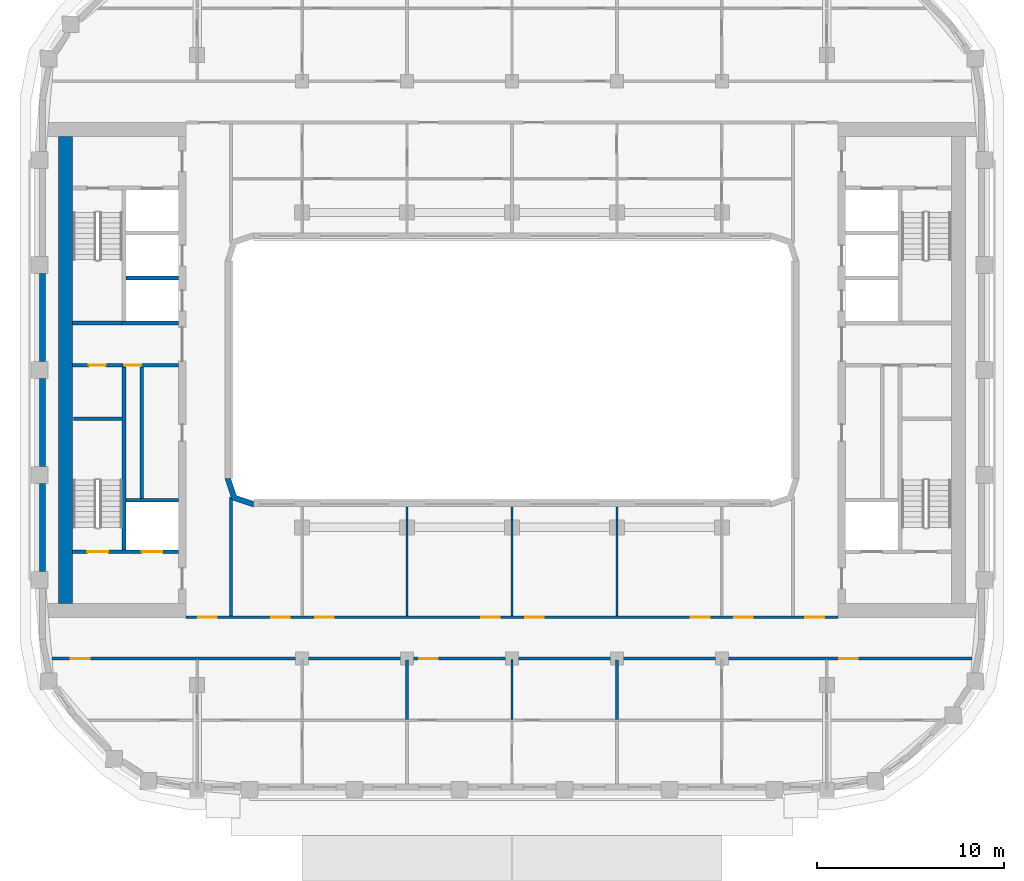
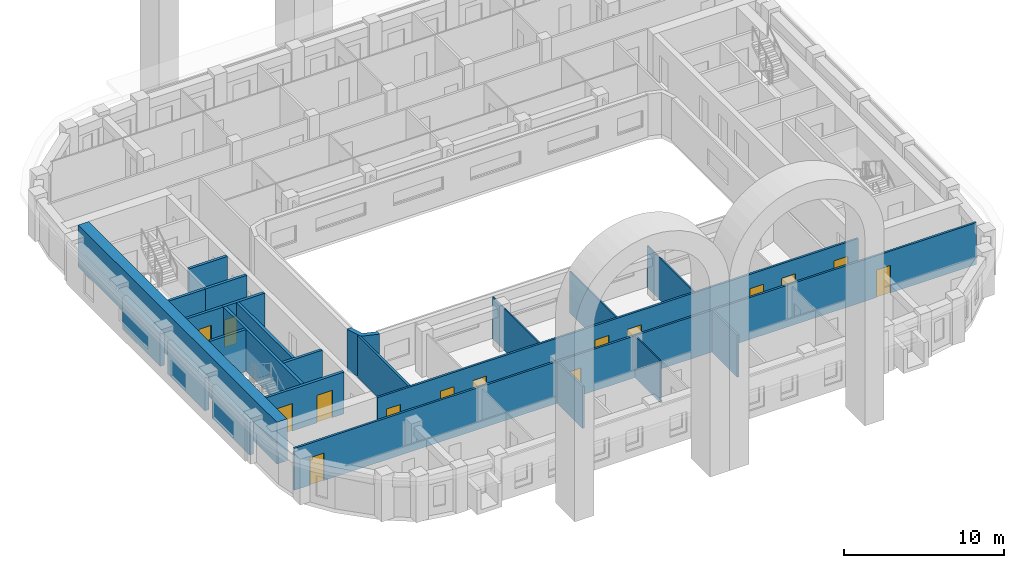
# One storey, part 3 of 18: 24 walls, 15 doors, 15 openings.
"""IFC4 building model written with IfcOpenShell, lengths in metres."""

from ifc_helpers import new_model, si_unit, direction, frame, frame_2d, origin, place, context, subcontext, project, spatial, polyline, rectangle, outline, extrude, material, layer, layer_set, type_object, element, fill, save


model = new_model("IFC4")

# Units and contexts
model_context = context("Model", 3, precision=1e-05, world=origin(), true_north=direction((0.0, 1.0)))
body_context = subcontext(model_context, "Body", "Model", "MODEL_VIEW")
ifc_project = project(units=[si_unit("LENGTHUNIT", "METRE"), si_unit("AREAUNIT", "SQUARE_METRE"), si_unit("VOLUMEUNIT", "CUBIC_METRE"), si_unit("PLANEANGLEUNIT", "RADIAN"), si_unit("MASSUNIT", "GRAM", prefix="KILO")], contexts=[model_context])

# Site, building, storey
site_placement = place(None, origin())
site = spatial("IfcSite", under=ifc_project, at=site_placement, CompositionType="ELEMENT")
building_placement = place(site_placement, origin())
building = spatial("IfcBuilding", under=site, at=building_placement, Name="Kiln Ring Residences", CompositionType="ELEMENT")
storey_placement = place(building_placement, frame((0.0, 0.0, 209.89990234375)))
storey = spatial("IfcBuildingStorey", under=building, at=storey_placement, Name="L54", CompositionType="ELEMENT", Elevation=209.89990234375)

# Wall, opening, door
ifc_material_1 = material(Name="Gypsum board on steel studs", Category="steel")
ifc_layer_1 = layer(ifc_material_1, 0.199951171875)
ifc_layer_set_1 = layer_set([ifc_layer_1], Name="CORE-PARTITION-200")
wall_type_1 = type_object("IfcWallType", Name="CORE-PARTITION-200", PredefinedType="PARTITIONING", material=ifc_layer_set_1)
wall_1_placement = place(storey_placement, frame((-20.800048828125, 0.25, 0.0), z_axis=(0.0, 0.0, 1.0), x_axis=(-1.0, 0.0, 0.0)))
wall_1 = element("IfcWall", 1, at=wall_1_placement, inside=storey, type_object=wall_type_1, Name="Core partition west L54 1", PredefinedType="PARTITIONING", context=body_context, shape_type="SweptSolid", body=[
    extrude(rectangle(XDim=2.64990234375, YDim=0.199951171875, at=frame_2d((1.324951171875, 0.0))), origin(), (0.0, 0.0, 1.0), 3.2001953125),
])
opening_1_placement = place(wall_1_placement, frame((0.875, 0.0, 0.0)))
opening_1 = element("IfcOpeningElement", 2, at=opening_1_placement, cuts=wall_1, Name="Opening L54-CW12", PredefinedType="OPENING", context=body_context, shape_type="SweptSolid", body=[
    extrude(rectangle(XDim=0.89990234375, YDim=2.10009765625, at=frame_2d((0.449951171875, 1.050048828125))), frame((0.0, 0.10986328125, 0.0), z_axis=(0.0, -1.0, 0.0), x_axis=(1.0, 0.0, 0.0)), (0.0, 0.0, 1.0), 0.219970703125),
])
ifc_material_2 = material(Name="Steel door leaf", Category="steel")
door_type_1 = type_object("IfcDoorType", Name="CORE-DOOR-ROOM", OperationType="SINGLE_SWING_LEFT", PredefinedType="DOOR", material=ifc_material_2)
door_1_placement = place(opening_1_placement, origin())
door_1 = element("IfcDoor", 3, at=door_1_placement, inside=storey, type_object=door_type_1, Name="Linen store L54-CW12", OperationType="SINGLE_SWING_RIGHT", OverallHeight=2.10009765625, OverallWidth=0.89990234375, PredefinedType="DOOR", context=body_context, shape_type="SweptSolid", body=[
    extrude(rectangle(XDim=0.89990234375, YDim=2.10009765625, at=frame_2d((0.449951171875, 1.050048828125))), frame((0.0, 0.02490234375, 0.0), z_axis=(0.0, -1.0, 0.0), x_axis=(1.0, 0.0, 0.0)), (0.0, 0.0, 1.0), 0.050048828125),
])
fill(opening_1, door_1)

# Walls
wall_2_placement = place(storey_placement, frame((-19.760009765625, -6.85009765625, 0.0), z_axis=(0.0, 0.0, 1.0), x_axis=(0.0, 1.0, 0.0)))
element("IfcWall", 4, at=wall_2_placement, inside=storey, type_object=wall_type_1, Name="Core partition west L54 2", PredefinedType="PARTITIONING", context=body_context, shape_type="SweptSolid", body=[
    extrude(rectangle(XDim=7.0, YDim=0.199951171875, at=frame_2d((3.5, 0.0))), origin(), (0.0, 0.0, 1.0), 3.2001953125),
])
ifc_material_3 = material(Name="Gypsum shaft wall system")
ifc_layer_2 = layer(ifc_material_3, 0.199951171875)
ifc_layer_set_2 = layer_set([ifc_layer_2], Name="CORE-SHAFT-WALL-200")
wall_type_2 = type_object("IfcWallType", Name="CORE-SHAFT-WALL-200", PredefinedType="PARTITIONING", material=ifc_layer_set_2)
wall_3_placement = place(storey_placement, frame((-17.800048828125, -6.949951171875, 0.0), z_axis=(0.0, 0.0, 1.0), x_axis=(-1.0, 0.0, 0.0)))
element("IfcWall", 5, at=wall_3_placement, inside=storey, type_object=wall_type_2, Name="Core partition west L54 3", PredefinedType="PARTITIONING", context=body_context, shape_type="SweptSolid", body=[
    extrude(rectangle(XDim=2.800048828125, YDim=0.199951171875, at=frame_2d((1.39990234375, 0.0))), origin(), (0.0, 0.0, 1.0), 3.2001953125),
])

# Wall, opening, door
wall_4_placement = place(storey_placement, frame((-17.800048828125, 0.25, 0.0), z_axis=(0.0, 0.0, 1.0), x_axis=(-1.0, 0.0, 0.0)))
wall_4 = element("IfcWall", 6, at=wall_4_placement, inside=storey, type_object=wall_type_2, Name="Core partition west L54 4", PredefinedType="PARTITIONING", context=body_context, shape_type="SweptSolid", body=[
    extrude(rectangle(XDim=3.0, YDim=0.199951171875, at=frame_2d((1.5, 0.0))), origin(), (0.0, 0.0, 1.0), 3.2001953125),
])
opening_2_placement = place(wall_4_placement, frame((1.97998046875, 0.0, 0.0)))
opening_2 = element("IfcOpeningElement", 7, at=opening_2_placement, cuts=wall_4, Name="Opening L54-CW03", PredefinedType="OPENING", context=body_context, shape_type="SweptSolid", body=[
    extrude(rectangle(XDim=0.89990234375, YDim=2.10009765625, at=frame_2d((0.449951171875, 1.050048828125))), frame((0.0, 0.10986328125, 0.0), z_axis=(0.0, -1.0, 0.0), x_axis=(1.0, 0.0, 0.0)), (0.0, 0.0, 1.0), 0.219970703125),
])
door_2_placement = place(opening_2_placement, origin())
door_2 = element("IfcDoor", 8, at=door_2_placement, inside=storey, type_object=door_type_1, Name="Waste room L54-CW03", OperationType="SINGLE_SWING_LEFT", OverallHeight=2.10009765625, OverallWidth=0.89990234375, PredefinedType="DOOR", context=body_context, shape_type="SweptSolid", body=[
    extrude(rectangle(XDim=0.89990234375, YDim=2.10009765625, at=frame_2d((0.449951171875, 1.050048828125))), frame((0.0, 0.02490234375, 0.0), z_axis=(0.0, -1.0, 0.0), x_axis=(1.0, 0.0, 0.0)), (0.0, 0.0, 1.0), 0.050048828125),
])
fill(opening_2, door_2)

# Walls
wall_5_placement = place(storey_placement, frame((-17.800048828125, 2.5, 0.0), z_axis=(0.0, 0.0, 1.0), x_axis=(-1.0, 0.0, 0.0)))
element("IfcWall", 9, at=wall_5_placement, inside=storey, type_object=wall_type_2, Name="Core partition west L54 5", PredefinedType="PARTITIONING", context=body_context, shape_type="SweptSolid", body=[
    extrude(rectangle(XDim=3.0, YDim=0.199951171875, at=frame_2d((1.5, 0.0))), origin(), (0.0, 0.0, 1.0), 3.2001953125),
])
wall_6_placement = place(storey_placement, frame((-17.800048828125, 4.89990234375, 0.0), z_axis=(0.0, 0.0, 1.0), x_axis=(-1.0, 0.0, 0.0)))
element("IfcWall", 10, at=wall_6_placement, inside=storey, type_object=wall_type_2, Name="Core partition west L54 6", PredefinedType="PARTITIONING", context=body_context, shape_type="SweptSolid", body=[
    extrude(rectangle(XDim=2.800048828125, YDim=0.199951171875, at=frame_2d((1.39990234375, 0.0))), origin(), (0.0, 0.0, 1.0), 3.2001953125),
])
ifc_material_4 = material(Name="Concrete C40/50", Category="concrete")
ifc_layer_3 = layer(ifc_material_4, 0.199951171875)
ifc_layer_set_3 = layer_set([ifc_layer_3], Name="CORE-WALL-RC200")
wall_type_3 = type_object("IfcWallType", Name="CORE-WALL-RC200", PredefinedType="SHEAR", material=ifc_layer_set_3)
wall_7_placement = place(storey_placement, frame((-20.699951171875, -9.60009765625, 0.0), z_axis=(0.0, 0.0, 1.0), x_axis=(0.0, 1.0, 0.0)))
element("IfcWall", 11, at=wall_7_placement, inside=storey, type_object=wall_type_3, Name="Core wall west L54 2", PredefinedType="SHEAR", context=body_context, shape_type="SweptSolid", body=[
    extrude(rectangle(XDim=9.75, YDim=0.199951171875, at=frame_2d((4.875, 0.0))), origin(), (0.0, 0.0, 1.0), 3.2001953125),
])
wall_8_placement = place(storey_placement, frame((-20.800048828125, 2.5, 0.0), z_axis=(0.0, 0.0, 1.0), x_axis=(-1.0, 0.0, 0.0)))
element("IfcWall", 12, at=wall_8_placement, inside=storey, type_object=wall_type_3, Name="Core wall west L54 3", PredefinedType="SHEAR", context=body_context, shape_type="SweptSolid", body=[
    extrude(rectangle(XDim=2.64990234375, YDim=0.199951171875, at=frame_2d((1.324951171875, 0.0))), origin(), (0.0, 0.0, 1.0), 3.2001953125),
])

# Wall, openings, doors
wall_9_placement = place(storey_placement, frame((-17.800048828125, -9.699951171875, 0.0), z_axis=(0.0, 0.0, 1.0), x_axis=(-1.0, 0.0, 0.0)))
wall_9 = element("IfcWall", 13, at=wall_9_placement, inside=storey, type_object=wall_type_3, Name="Core wall west L54 8", PredefinedType="SHEAR", context=body_context, shape_type="SweptSolid", body=[
    extrude(rectangle(XDim=5.64990234375, YDim=0.199951171875, at=frame_2d((2.824951171875, 0.0))), origin(), (0.0, 0.0, 1.0), 3.2001953125),
])
opening_3_placement = place(wall_9_placement, frame((0.85009765625, 0.0, 0.0)))
opening_3 = element("IfcOpeningElement", 14, at=opening_3_placement, cuts=wall_9, Name="Opening L54-CW01", PredefinedType="OPENING", context=body_context, shape_type="SweptSolid", body=[
    extrude(rectangle(XDim=1.10009765625, YDim=2.10009765625, at=frame_2d((0.550048828125, 1.050048828125))), frame((0.0, 0.10986328125, 0.0), z_axis=(0.0, -1.0, 0.0), x_axis=(1.0, 0.0, 0.0)), (0.0, 0.0, 1.0), 0.219970703125),
])
opening_4_placement = place(wall_9_placement, frame((3.75, 0.0, 0.0)))
opening_4 = element("IfcOpeningElement", 15, at=opening_4_placement, cuts=wall_9, Name="Opening L54-CW10", PredefinedType="OPENING", context=body_context, shape_type="SweptSolid", body=[
    extrude(rectangle(XDim=1.10009765625, YDim=2.10009765625, at=frame_2d((0.550048828125, 1.050048828125))), frame((0.0, 0.10986328125, 0.0), z_axis=(0.0, -1.0, 0.0), x_axis=(1.0, 0.0, 0.0)), (0.0, 0.0, 1.0), 0.219970703125),
])
ifc_material_5 = material(Name="Steel door leaf", Category="steel")
door_type_2 = type_object("IfcDoorType", Name="CORE-DOOR-LD", OperationType="DOUBLE_DOOR_SLIDING", PredefinedType="DOOR", material=ifc_material_5)
door_3_placement = place(opening_3_placement, origin())
door_3 = element("IfcDoor", 16, at=door_3_placement, inside=storey, type_object=door_type_2, Name="LD W-SV L54-CW01", OperationType="DOUBLE_DOOR_SLIDING", OverallHeight=2.10009765625, OverallWidth=1.10009765625, PredefinedType="DOOR", context=body_context, shape_type="SweptSolid", body=[
    extrude(rectangle(XDim=1.10009765625, YDim=2.10009765625, at=frame_2d((0.550048828125, 1.050048828125))), frame((0.0, 0.02490234375, 0.0), z_axis=(0.0, -1.0, 0.0), x_axis=(1.0, 0.0, 0.0)), (0.0, 0.0, 1.0), 0.050048828125),
])
fill(opening_3, door_3)
ifc_material_6 = material(Name="Steel door leaf", Category="steel")
door_type_3 = type_object("IfcDoorType", Name="CORE-DOOR-STAIR", OperationType="SINGLE_SWING_LEFT", PredefinedType="DOOR", material=ifc_material_6)
door_4_placement = place(opening_4_placement, origin())
door_4 = element("IfcDoor", 17, at=door_4_placement, inside=storey, type_object=door_type_3, Name="Stair W-STS L54-CW10", OperationType="SINGLE_SWING_LEFT", OverallHeight=2.10009765625, OverallWidth=1.10009765625, PredefinedType="DOOR", context=body_context, shape_type="SweptSolid", body=[
    extrude(rectangle(XDim=1.10009765625, YDim=2.10009765625, at=frame_2d((0.550048828125, 1.050048828125))), frame((0.0, 0.02490234375, 0.0), z_axis=(0.0, -1.0, 0.0), x_axis=(1.0, 0.0, 0.0)), (0.0, 0.0, 1.0), 0.050048828125),
])
fill(opening_4, door_4)

# Walls
wall_10_placement = place(storey_placement, frame((-20.800048828125, -2.60009765625, 0.0), z_axis=(0.0, 0.0, 1.0), x_axis=(-1.0, 0.0, 0.0)))
element("IfcWall", 18, at=wall_10_placement, inside=storey, type_object=wall_type_3, Name="Core wall west L54 10", PredefinedType="SHEAR", context=body_context, shape_type="SweptSolid", body=[
    extrude(rectangle(XDim=2.599853515625, YDim=0.199951171875, at=frame_2d((1.2998046875, 0.0))), origin(), (0.0, 0.0, 1.0), 3.2001953125),
])
ifc_material_7 = material(Name="Concrete C60/75", Category="concrete")
ifc_layer_4 = layer(ifc_material_7, 0.75)
ifc_layer_set_4 = layer_set([ifc_layer_4], Name="CORE-WALL-RC750")
wall_type_4 = type_object("IfcWallType", Name="CORE-WALL-RC750", PredefinedType="SHEAR", material=ifc_layer_set_4)
wall_11_placement = place(storey_placement, frame((-23.824951171875, -12.449951171875, 0.0), z_axis=(0.0, 0.0, 1.0), x_axis=(0.0, 1.0, 0.0)))
element("IfcWall", 19, at=wall_11_placement, inside=storey, type_object=wall_type_4, Name="Core wall west L54 7", PredefinedType="SHEAR", context=body_context, shape_type="SweptSolid", body=[
    extrude(rectangle(XDim=24.89990234375, YDim=0.75, at=frame_2d((12.449951171875, 0.0))), origin(), (0.0, 0.0, 1.0), 3.2001953125),
])
ifc_material_8 = material(Name="Brick masonry, dark clay brick", Category="masonry")
ifc_layer_5 = layer(ifc_material_8, 0.300048828125)
ifc_layer_set_5 = layer_set([ifc_layer_5], Name="EW-300 BRICK WALL")
wall_type_5 = type_object("IfcWallType", Name="EW-300 BRICK WALL", PredefinedType="SOLIDWALL", material=ifc_layer_set_5)
for number, where, z_axis, x_axis, name in (
    (20, (-25.050048828125, 5.14990234375, 0.0), (0.0, 0.0, 1.0), (0.0, -1.0, 0.0), "Facade wall L54 41"),
    (21, (-25.050048828125, -0.449951171875, 0.0), (0.0, 0.0, 1.0), (0.0, -1.0, 0.0), "Facade wall L54 42"),
    (22, (-25.050048828125, -6.050048828125, 0.0), (0.0, 0.0, 1.0), (0.0, -1.0, 0.0), "Facade wall L54 43"),
):
    element("IfcWall", number, at=place(storey_placement, frame(where, z_axis=z_axis, x_axis=x_axis)), inside=storey, type_object=wall_type_5, Name=name, PredefinedType="SOLIDWALL", context=body_context, shape_type="SweptSolid", body=[
        extrude(rectangle(XDim=4.699951171875, YDim=0.300048828125, at=frame_2d((2.35009765625, 0.0))), origin(), (0.0, 0.0, 1.0), 2.5),
    ])
wall_12_placement = place(storey_placement, origin())
element("IfcWall", 23, at=wall_12_placement, inside=storey, type_object=wall_type_5, Name="Corner wall L54 4", PredefinedType="SOLIDWALL", context=body_context, shape_type="SweptSolid", body=[
    extrude(outline(polyline([(-14.937255859375, -6.937255859375), (-13.8486328125, -7.300048828125), (-13.800048828125, -7.300048828125), (-13.800048828125, -7.0), (-14.699951171875, -6.699951171875), (-15.0, -5.800048828125), (-15.300048828125, -5.800048828125), (-15.300048828125, -5.8486328125), (-14.937255859375, -6.937255859375)])), origin(), (0.0, 0.0, 1.0), 3.2001953125),
])
ifc_material_9 = material(Name="Gypsum board on steel studs", Category="steel")
ifc_layer_6 = layer(ifc_material_9, 0.10009765625)
ifc_layer_set_6 = layer_set([ifc_layer_6], Name="PARTITION-100")
wall_type_6 = type_object("IfcWallType", Name="PARTITION-100", PredefinedType="PARTITIONING", material=ifc_layer_set_6)
wall_13_placement = place(storey_placement, frame((-5.60009765625, -13.125, 0.0), z_axis=(0.0, 0.0, 1.0), x_axis=(0.0, 1.0, 0.0)))
element("IfcWall", 24, at=wall_13_placement, inside=storey, type_object=wall_type_6, Name="Partition 020", PredefinedType="PARTITIONING", context=body_context, shape_type="SweptSolid", body=[
    extrude(rectangle(XDim=5.804931640625, YDim=0.10009765625, at=frame_2d((2.90234375, 0.0))), origin(), (0.0, 0.0, 1.0), 3.2001953125),
])
wall_14_placement = place(storey_placement, frame((0.0, -18.64990234375, 0.0), z_axis=(0.0, 0.0, 1.0), x_axis=(0.0, 1.0, 0.0)))
element("IfcWall", 25, at=wall_14_placement, inside=storey, type_object=wall_type_6, Name="Partition 028", PredefinedType="PARTITIONING", context=body_context, shape_type="SweptSolid", body=[
    extrude(rectangle(XDim=3.1748046875, YDim=0.10009765625, at=frame_2d((1.58740234375, 0.0))), origin(), (0.0, 0.0, 1.0), 3.2001953125),
])
for number, where, z_axis, x_axis, name in (
    (26, (0.0, -13.125, 0.0), (0.0, 0.0, 1.0), (0.0, 1.0, 0.0), "Partition 029"),
    (27, (5.60009765625, -13.125, 0.0), (0.0, 0.0, 1.0), (0.0, 1.0, 0.0), "Partition 034"),
):
    element("IfcWall", number, at=place(storey_placement, frame(where, z_axis=z_axis, x_axis=x_axis)), inside=storey, type_object=wall_type_6, Name=name, PredefinedType="PARTITIONING", context=body_context, shape_type="SweptSolid", body=[
        extrude(rectangle(XDim=5.804931640625, YDim=0.10009765625, at=frame_2d((2.90234375, 0.0))), origin(), (0.0, 0.0, 1.0), 3.2001953125),
    ])

# Wall, openings, doors
ifc_material_10 = material(Name="Brick masonry partition", Category="masonry")
ifc_layer_7 = layer(ifc_material_10, 0.14990234375)
ifc_layer_set_7 = layer_set([ifc_layer_7], Name="PARTITION-150-ei60")
wall_type_7 = type_object("IfcWallType", Name="PARTITION-150-ei60", PredefinedType="PARTITIONING", material=ifc_layer_set_7)
wall_15_placement = place(storey_placement, frame((-24.683837890625, -15.39990234375, 0.0), z_axis=(0.0, 0.0, 1.0), x_axis=(1.0, 0.0, 0.0)))
wall_15 = element("IfcWall", 28, at=wall_15_placement, inside=storey, type_object=wall_type_7, Name="Partition 001", PredefinedType="PARTITIONING", context=body_context, shape_type="SweptSolid", body=[
    extrude(rectangle(XDim=49.36767578125, YDim=0.14990234375, at=frame_2d((24.683837890625, 0.0))), origin(), (0.0, 0.0, 1.0), 3.2001953125),
])
opening_5_placement = place(wall_15_placement, frame((1.142822265625, 0.0, 0.0)))
opening_5 = element("IfcOpeningElement", 29, at=opening_5_placement, cuts=wall_15, Name="Opening L54-D039", PredefinedType="OPENING", context=body_context, shape_type="SweptSolid", body=[
    extrude(rectangle(XDim=1.0, YDim=2.10009765625, at=frame_2d((0.5, 1.050048828125))), frame((0.0, 0.0849609375, 0.0), z_axis=(0.0, -1.0, 0.0), x_axis=(1.0, 0.0, 0.0)), (0.0, 0.0, 1.0), 0.169921875),
])
opening_6_placement = place(wall_15_placement, frame((19.73388671875, 0.0, 0.0)))
opening_6 = element("IfcOpeningElement", 30, at=opening_6_placement, cuts=wall_15, Name="Opening L54-D045", PredefinedType="OPENING", context=body_context, shape_type="SweptSolid", body=[
    extrude(rectangle(XDim=1.0, YDim=2.10009765625, at=frame_2d((0.5, 1.050048828125))), frame((0.0, 0.0849609375, 0.0), z_axis=(0.0, -1.0, 0.0), x_axis=(1.0, 0.0, 0.0)), (0.0, 0.0, 1.0), 0.169921875),
])
opening_7_placement = place(wall_15_placement, frame((42.1337890625, 0.0, 0.0)))
opening_7 = element("IfcOpeningElement", 31, at=opening_7_placement, cuts=wall_15, Name="Opening L54-D049", PredefinedType="OPENING", context=body_context, shape_type="SweptSolid", body=[
    extrude(rectangle(XDim=1.0, YDim=2.10009765625, at=frame_2d((0.5, 1.050048828125))), frame((0.0, 0.0849609375, 0.0), z_axis=(0.0, -1.0, 0.0), x_axis=(1.0, 0.0, 0.0)), (0.0, 0.0, 1.0), 0.169921875),
])
ifc_material_11 = material(Name="Steel faced fire door leaf", Category="steel")
door_type_4 = type_object("IfcDoorType", Name="FLAT-DOOR-1000-FR", OperationType="SINGLE_SWING_LEFT", PredefinedType="DOOR", material=ifc_material_11)
door_5_placement = place(opening_5_placement, origin())
door_5 = element("IfcDoor", 32, at=door_5_placement, inside=storey, type_object=door_type_4, Name="Door L54-D039", OperationType="SINGLE_SWING_LEFT", OverallHeight=2.10009765625, OverallWidth=1.0, PredefinedType="DOOR", context=body_context, shape_type="SweptSolid", body=[
    extrude(rectangle(XDim=1.0, YDim=2.10009765625, at=frame_2d((0.5, 1.050048828125))), frame((0.0, 0.02490234375, 0.0), z_axis=(0.0, -1.0, 0.0), x_axis=(1.0, 0.0, 0.0)), (0.0, 0.0, 1.0), 0.050048828125),
])
fill(opening_5, door_5)
door_6_placement = place(opening_6_placement, origin())
door_6 = element("IfcDoor", 33, at=door_6_placement, inside=storey, type_object=door_type_4, Name="Door L54-D045", OperationType="SINGLE_SWING_LEFT", OverallHeight=2.10009765625, OverallWidth=1.0, PredefinedType="DOOR", context=body_context, shape_type="SweptSolid", body=[
    extrude(rectangle(XDim=1.0, YDim=2.10009765625, at=frame_2d((0.5, 1.050048828125))), frame((0.0, 0.02490234375, 0.0), z_axis=(0.0, -1.0, 0.0), x_axis=(1.0, 0.0, 0.0)), (0.0, 0.0, 1.0), 0.050048828125),
])
fill(opening_6, door_6)
door_7_placement = place(opening_7_placement, origin())
door_7 = element("IfcDoor", 34, at=door_7_placement, inside=storey, type_object=door_type_4, Name="Door L54-D049", OperationType="SINGLE_SWING_LEFT", OverallHeight=2.10009765625, OverallWidth=1.0, PredefinedType="DOOR", context=body_context, shape_type="SweptSolid", body=[
    extrude(rectangle(XDim=1.0, YDim=2.10009765625, at=frame_2d((0.5, 1.050048828125))), frame((0.0, 0.02490234375, 0.0), z_axis=(0.0, -1.0, 0.0), x_axis=(1.0, 0.0, 0.0)), (0.0, 0.0, 1.0), 0.050048828125),
])
fill(opening_7, door_7)

wall_16_placement = place(storey_placement, frame((-17.39990234375, -13.199951171875, 0.0), z_axis=(0.0, 0.0, 1.0), x_axis=(1.0, 0.0, 0.0)))
wall_16 = element("IfcWall", 35, at=wall_16_placement, inside=storey, type_object=wall_type_7, Name="Partition 002", PredefinedType="PARTITIONING", context=body_context, shape_type="SweptSolid", body=[
    extrude(rectangle(XDim=34.7998046875, YDim=0.14990234375, at=frame_2d((17.39990234375, 0.0))), origin(), (0.0, 0.0, 1.0), 3.2001953125),
])
opening_8_placement = place(wall_16_placement, frame((0.64990234375, 0.0, 0.0)))
opening_8 = element("IfcOpeningElement", 36, at=opening_8_placement, cuts=wall_16, Name="Opening L54-D003", PredefinedType="OPENING", context=body_context, shape_type="SweptSolid", body=[
    extrude(rectangle(XDim=1.0, YDim=2.10009765625, at=frame_2d((0.5, 1.050048828125))), frame((0.0, 0.0849609375, 0.0), z_axis=(0.0, -1.0, 0.0), x_axis=(1.0, 0.0, 0.0)), (0.0, 0.0, 1.0), 0.169921875),
])
opening_9_placement = place(wall_16_placement, frame((33.050048828125, 0.0, 0.0)))
opening_9 = element("IfcOpeningElement", 37, at=opening_9_placement, cuts=wall_16, Name="Opening L54-D004", PredefinedType="OPENING", context=body_context, shape_type="SweptSolid", body=[
    extrude(rectangle(XDim=1.0, YDim=2.10009765625, at=frame_2d((0.5, 1.050048828125))), frame((0.0, 0.0849609375, 0.0), z_axis=(0.0, -1.0, 0.0), x_axis=(1.0, 0.0, 0.0)), (0.0, 0.0, 1.0), 0.169921875),
])
opening_10_placement = place(wall_16_placement, frame((4.550048828125, 0.0, 0.0)))
opening_10 = element("IfcOpeningElement", 38, at=opening_10_placement, cuts=wall_16, Name="Opening L54-D033", PredefinedType="OPENING", context=body_context, shape_type="SweptSolid", body=[
    extrude(rectangle(XDim=1.0, YDim=2.10009765625, at=frame_2d((0.5, 1.050048828125))), frame((0.0, 0.0849609375, 0.0), z_axis=(0.0, -1.0, 0.0), x_axis=(1.0, 0.0, 0.0)), (0.0, 0.0, 1.0), 0.169921875),
])
opening_11_placement = place(wall_16_placement, frame((6.89990234375, 0.0, 0.0)))
opening_11 = element("IfcOpeningElement", 39, at=opening_11_placement, cuts=wall_16, Name="Opening L54-D034", PredefinedType="OPENING", context=body_context, shape_type="SweptSolid", body=[
    extrude(rectangle(XDim=1.0, YDim=2.10009765625, at=frame_2d((0.5, 1.050048828125))), frame((0.0, 0.0849609375, 0.0), z_axis=(0.0, -1.0, 0.0), x_axis=(1.0, 0.0, 0.0)), (0.0, 0.0, 1.0), 0.169921875),
])
opening_12_placement = place(wall_16_placement, frame((15.75, 0.0, 0.0)))
opening_12 = element("IfcOpeningElement", 40, at=opening_12_placement, cuts=wall_16, Name="Opening L54-D035", PredefinedType="OPENING", context=body_context, shape_type="SweptSolid", body=[
    extrude(rectangle(XDim=1.0, YDim=2.10009765625, at=frame_2d((0.5, 1.050048828125))), frame((0.0, 0.0849609375, 0.0), z_axis=(0.0, -1.0, 0.0), x_axis=(1.0, 0.0, 0.0)), (0.0, 0.0, 1.0), 0.169921875),
])
opening_13_placement = place(wall_16_placement, frame((18.10009765625, 0.0, 0.0)))
opening_13 = element("IfcOpeningElement", 41, at=opening_13_placement, cuts=wall_16, Name="Opening L54-D036", PredefinedType="OPENING", context=body_context, shape_type="SweptSolid", body=[
    extrude(rectangle(XDim=1.0, YDim=2.10009765625, at=frame_2d((0.5, 1.050048828125))), frame((0.0, 0.0849609375, 0.0), z_axis=(0.0, -1.0, 0.0), x_axis=(1.0, 0.0, 0.0)), (0.0, 0.0, 1.0), 0.169921875),
])
opening_14_placement = place(wall_16_placement, frame((26.949951171875, 0.0, 0.0)))
opening_14 = element("IfcOpeningElement", 42, at=opening_14_placement, cuts=wall_16, Name="Opening L54-D037", PredefinedType="OPENING", context=body_context, shape_type="SweptSolid", body=[
    extrude(rectangle(XDim=1.0, YDim=2.10009765625, at=frame_2d((0.5, 1.050048828125))), frame((0.0, 0.0849609375, 0.0), z_axis=(0.0, -1.0, 0.0), x_axis=(1.0, 0.0, 0.0)), (0.0, 0.0, 1.0), 0.169921875),
])
opening_15_placement = place(wall_16_placement, frame((29.25, 0.0, 0.0)))
opening_15 = element("IfcOpeningElement", 43, at=opening_15_placement, cuts=wall_16, Name="Opening L54-D038", PredefinedType="OPENING", context=body_context, shape_type="SweptSolid", body=[
    extrude(rectangle(XDim=1.0, YDim=2.10009765625, at=frame_2d((0.5, 1.050048828125))), frame((0.0, 0.0849609375, 0.0), z_axis=(0.0, -1.0, 0.0), x_axis=(1.0, 0.0, 0.0)), (0.0, 0.0, 1.0), 0.169921875),
])
door_8_placement = place(opening_8_placement, origin())
door_8 = element("IfcDoor", 44, at=door_8_placement, inside=storey, type_object=door_type_4, Name="Door L54-D003", OperationType="SINGLE_SWING_RIGHT", OverallHeight=2.10009765625, OverallWidth=1.0, PredefinedType="DOOR", context=body_context, shape_type="SweptSolid", body=[
    extrude(rectangle(XDim=1.0, YDim=2.10009765625, at=frame_2d((0.5, 1.050048828125))), frame((0.0, 0.02490234375, 0.0), z_axis=(0.0, -1.0, 0.0), x_axis=(1.0, 0.0, 0.0)), (0.0, 0.0, 1.0), 0.050048828125),
])
fill(opening_8, door_8)
door_9_placement = place(opening_9_placement, origin())
door_9 = element("IfcDoor", 45, at=door_9_placement, inside=storey, type_object=door_type_4, Name="Door L54-D004", OperationType="SINGLE_SWING_LEFT", OverallHeight=2.10009765625, OverallWidth=1.0, PredefinedType="DOOR", context=body_context, shape_type="SweptSolid", body=[
    extrude(rectangle(XDim=1.0, YDim=2.10009765625, at=frame_2d((0.5, 1.050048828125))), frame((0.0, 0.02490234375, 0.0), z_axis=(0.0, -1.0, 0.0), x_axis=(1.0, 0.0, 0.0)), (0.0, 0.0, 1.0), 0.050048828125),
])
fill(opening_9, door_9)
door_10_placement = place(opening_10_placement, origin())
door_10 = element("IfcDoor", 46, at=door_10_placement, inside=storey, type_object=door_type_4, Name="Door L54-D033", OperationType="SINGLE_SWING_LEFT", OverallHeight=2.10009765625, OverallWidth=1.0, PredefinedType="DOOR", context=body_context, shape_type="SweptSolid", body=[
    extrude(rectangle(XDim=1.0, YDim=2.10009765625, at=frame_2d((0.5, 1.050048828125))), frame((0.0, 0.02490234375, 0.0), z_axis=(0.0, -1.0, 0.0), x_axis=(1.0, 0.0, 0.0)), (0.0, 0.0, 1.0), 0.050048828125),
])
fill(opening_10, door_10)
door_11_placement = place(opening_11_placement, origin())
door_11 = element("IfcDoor", 47, at=door_11_placement, inside=storey, type_object=door_type_4, Name="Door L54-D034", OperationType="SINGLE_SWING_RIGHT", OverallHeight=2.10009765625, OverallWidth=1.0, PredefinedType="DOOR", context=body_context, shape_type="SweptSolid", body=[
    extrude(rectangle(XDim=1.0, YDim=2.10009765625, at=frame_2d((0.5, 1.050048828125))), frame((0.0, 0.02490234375, 0.0), z_axis=(0.0, -1.0, 0.0), x_axis=(1.0, 0.0, 0.0)), (0.0, 0.0, 1.0), 0.050048828125),
])
fill(opening_11, door_11)
door_12_placement = place(opening_12_placement, origin())
door_12 = element("IfcDoor", 48, at=door_12_placement, inside=storey, type_object=door_type_4, Name="Door L54-D035", OperationType="SINGLE_SWING_LEFT", OverallHeight=2.10009765625, OverallWidth=1.0, PredefinedType="DOOR", context=body_context, shape_type="SweptSolid", body=[
    extrude(rectangle(XDim=1.0, YDim=2.10009765625, at=frame_2d((0.5, 1.050048828125))), frame((0.0, 0.02490234375, 0.0), z_axis=(0.0, -1.0, 0.0), x_axis=(1.0, 0.0, 0.0)), (0.0, 0.0, 1.0), 0.050048828125),
])
fill(opening_12, door_12)
door_13_placement = place(opening_13_placement, origin())
door_13 = element("IfcDoor", 49, at=door_13_placement, inside=storey, type_object=door_type_4, Name="Door L54-D036", OperationType="SINGLE_SWING_RIGHT", OverallHeight=2.10009765625, OverallWidth=1.0, PredefinedType="DOOR", context=body_context, shape_type="SweptSolid", body=[
    extrude(rectangle(XDim=1.0, YDim=2.10009765625, at=frame_2d((0.5, 1.050048828125))), frame((0.0, 0.02490234375, 0.0), z_axis=(0.0, -1.0, 0.0), x_axis=(1.0, 0.0, 0.0)), (0.0, 0.0, 1.0), 0.050048828125),
])
fill(opening_13, door_13)
door_14_placement = place(opening_14_placement, origin())
door_14 = element("IfcDoor", 50, at=door_14_placement, inside=storey, type_object=door_type_4, Name="Door L54-D037", OperationType="SINGLE_SWING_LEFT", OverallHeight=2.10009765625, OverallWidth=1.0, PredefinedType="DOOR", context=body_context, shape_type="SweptSolid", body=[
    extrude(rectangle(XDim=1.0, YDim=2.10009765625, at=frame_2d((0.5, 1.050048828125))), frame((0.0, 0.02490234375, 0.0), z_axis=(0.0, -1.0, 0.0), x_axis=(1.0, 0.0, 0.0)), (0.0, 0.0, 1.0), 0.050048828125),
])
fill(opening_14, door_14)
door_15_placement = place(opening_15_placement, origin())
door_15 = element("IfcDoor", 51, at=door_15_placement, inside=storey, type_object=door_type_4, Name="Door L54-D038", OperationType="SINGLE_SWING_RIGHT", OverallHeight=2.10009765625, OverallWidth=1.0, PredefinedType="DOOR", context=body_context, shape_type="SweptSolid", body=[
    extrude(rectangle(XDim=1.0, YDim=2.10009765625, at=frame_2d((0.5, 1.050048828125))), frame((0.0, 0.02490234375, 0.0), z_axis=(0.0, -1.0, 0.0), x_axis=(1.0, 0.0, 0.0)), (0.0, 0.0, 1.0), 0.050048828125),
])
fill(opening_15, door_15)

# Walls
wall_17_placement = place(storey_placement, frame((-15.0, -13.125, 0.0), z_axis=(0.0, 0.0, 1.0), x_axis=(0.0, 1.0, 0.0)))
element("IfcWall", 52, at=wall_17_placement, inside=storey, type_object=wall_type_7, Name="Partition 011", PredefinedType="PARTITIONING", context=body_context, shape_type="SweptSolid", body=[
    extrude(rectangle(XDim=6.356201171875, YDim=0.14990234375, at=frame_2d((3.17822265625, 0.0))), origin(), (0.0, 0.0, 1.0), 3.2001953125),
])
for number, where, z_axis, x_axis, name in (
    (53, (-5.60009765625, -18.64990234375, 0.0), (0.0, 0.0, 1.0), (0.0, 1.0, 0.0), "Partition 024"),
    (54, (5.60009765625, -18.64990234375, 0.0), (0.0, 0.0, 1.0), (0.0, 1.0, 0.0), "Partition 038"),
):
    element("IfcWall", number, at=place(storey_placement, frame(where, z_axis=z_axis, x_axis=x_axis)), inside=storey, type_object=wall_type_7, Name=name, PredefinedType="PARTITIONING", context=body_context, shape_type="SweptSolid", body=[
        extrude(rectangle(XDim=3.1748046875, YDim=0.14990234375, at=frame_2d((1.58740234375, 0.0))), origin(), (0.0, 0.0, 1.0), 3.2001953125),
    ])

save(model, "model.ifc")
